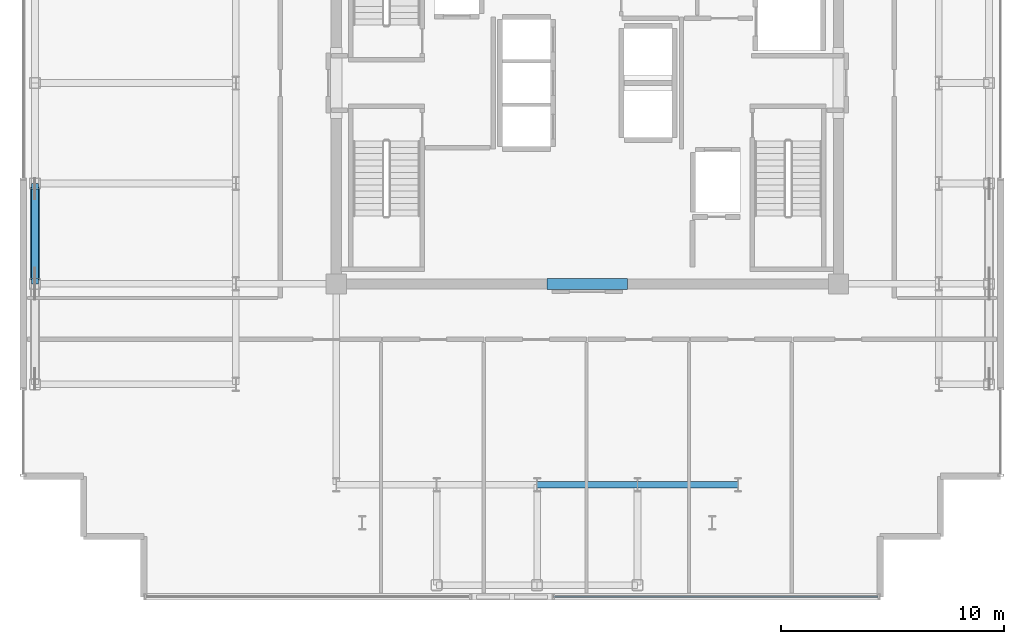
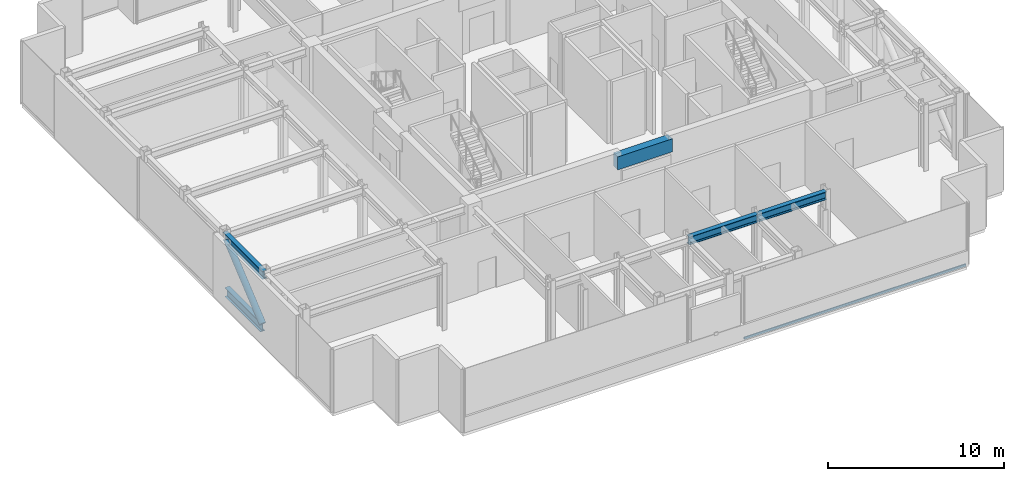
# One storey, part 5 of 18: 4 beams, 3 members, 1 element without a shape of its own.
"""IFC4 building model written with IfcOpenShell, lengths in metres."""

from ifc_helpers import new_model, si_unit, direction, frame, origin, origin_2d, place, context, subcontext, project, spatial, rectangle, hollow_rectangle, hollow_circle, i_section, extrude, source, transform, mapped, material, layer, layer_set, material_profile, profile_set, type_object, element, aggregate, save


model = new_model("IFC4")

# Units and contexts
model_context = context("Model", 3, precision=1e-05, world=origin(), true_north=direction((0.0, 1.0)))
body_context = subcontext(model_context, "Body", "Model", "MODEL_VIEW")
ifc_project = project(units=[si_unit("LENGTHUNIT", "METRE"), si_unit("AREAUNIT", "SQUARE_METRE"), si_unit("VOLUMEUNIT", "CUBIC_METRE"), si_unit("PLANEANGLEUNIT", "RADIAN"), si_unit("MASSUNIT", "GRAM", prefix="KILO")], contexts=[model_context])

# Site, building, storey
site_placement = place(None, origin())
site = spatial("IfcSite", under=ifc_project, at=site_placement, CompositionType="ELEMENT")
building_placement = place(site_placement, origin())
building = spatial("IfcBuilding", under=site, at=building_placement, Name="Nefas-Gora Pilgrimage Tower", CompositionType="ELEMENT")
storey_placement = place(building_placement, frame((0.0, 0.0, 317.800048828125)))
storey = spatial("IfcBuildingStorey", under=building, at=storey_placement, Name="L80", CompositionType="ELEMENT", Elevation=317.800048828125)

# Beams
ifc_material_1 = material(Name="Concrete C50/60", Category="concrete")
ifc_material_profile_1 = material_profile(ifc_material_1, rectangle(XDim=0.5, YDim=0.89990234375, at=origin_2d()), Name="RC 500x900")
ifc_profile_set_1 = profile_set([ifc_material_profile_1], Name="Concrete C50/60")
beam_type_1 = type_object("IfcBeamType", Name="BM-LIN-RC900", PredefinedType="LINTEL", material=ifc_profile_set_1)
shared_shape_1 = source(origin(), body_context, "Body", "SweptSolid", [
    extrude(rectangle(XDim=0.5, YDim=0.89990234375, at=origin_2d()), origin(), (0.0, 0.0, 1.0), 3.60009765625),
])
beam_1_placement = place(storey_placement, frame((-1.800048828125, -9.0, 3.89990234375), z_axis=(1.0, 0.0, 0.0), x_axis=(0.0, 1.0, 0.0)))
element("IfcBeam", 1, at=beam_1_placement, inside=storey, type_object=beam_type_1, Name="L80 Core Coupling Lintel Beam S", PredefinedType="LINTEL", context=body_context, shape_type="MappedRepresentation", body=[
    mapped(shared_shape_1, transform((0.0, 0.0, 0.0), x_axis=(1.0, 0.0, 0.0), y_axis=(0.0, 1.0, 0.0), z_axis=(0.0, 0.0, 1.0), scale=1.0)),
])
ifc_material_2 = material(Name="Steel S355", Category="steel")
ifc_material_profile_2 = material_profile(ifc_material_2, i_section(OverallWidth=0.300048828125, OverallDepth=0.550048828125, WebThickness=0.014892578125, FlangeThickness=0.029052734375, FilletRadius=0.027099609375, at=origin_2d()), Name="HEB 550")
ifc_profile_set_2 = profile_set([ifc_material_profile_2], Name="Steel S355")
beam_type_2 = type_object("IfcBeamType", Name="BM-SPN-HEB400", PredefinedType="SPANDREL", material=ifc_profile_set_2)
shared_shape_2 = source(origin(), body_context, "Body", "SweptSolid", [
    extrude(i_section(OverallWidth=0.300048828125, OverallDepth=0.550048828125, WebThickness=0.014892578125, FlangeThickness=0.029052734375, FilletRadius=0.027099609375, at=origin_2d()), origin(), (0.0, 0.0, 1.0), 4.5),
])
beam_2_placement = place(storey_placement, frame((-24.75, -9.0, 4.074951171875), z_axis=(0.0, 1.0, 0.0), x_axis=(-1.0, 0.0, 0.0)))
element("IfcBeam", 2, at=beam_2_placement, inside=storey, type_object=beam_type_2, Name="L80 SP-04 beam", PredefinedType="SPANDREL", context=body_context, shape_type="MappedRepresentation", body=[
    mapped(shared_shape_2, transform((0.0, 0.0, 0.0), x_axis=(1.0, 0.0, 0.0), y_axis=(0.0, 1.0, 0.0), z_axis=(0.0, 0.0, 1.0), scale=1.0)),
])
ifc_material_profile_3 = material_profile(ifc_material_2, i_section(OverallWidth=0.300048828125, OverallDepth=0.550048828125, WebThickness=0.014892578125, FlangeThickness=0.029052734375, FilletRadius=0.027099609375, at=origin_2d()), Name="HEB 550")
ifc_profile_set_3 = profile_set([ifc_material_profile_3], Name="Steel S355")
beam_type_3 = type_object("IfcBeamType", Name="BM-GIR-HEB550", PredefinedType="BEAM", material=ifc_profile_set_3)
shared_shape_3 = source(origin(), body_context, "Body", "SweptSolid", [
    extrude(i_section(OverallWidth=0.300048828125, OverallDepth=0.550048828125, WebThickness=0.014892578125, FlangeThickness=0.029052734375, FilletRadius=0.027099609375, at=origin_2d()), origin(), (0.0, 0.0, 1.0), 4.5),
])
for number, where, z_axis, x_axis, name in (
    (3, (-2.25, -18.0, 4.074951171875), (1.0, 0.0, 0.0), (0.0, 1.0, 0.0), "L80 G-05 beam"),
    (4, (2.25, -18.0, 4.074951171875), (1.0, 0.0, 0.0), (0.0, 1.0, 0.0), "L80 G-05 beam"),
):
    element("IfcBeam", number, at=place(storey_placement, frame(where, z_axis=z_axis, x_axis=x_axis)), inside=storey, type_object=beam_type_3, Name=name, PredefinedType="BEAM", context=body_context, shape_type="MappedRepresentation", body=[
        mapped(shared_shape_3, transform((0.0, 0.0, 0.0), x_axis=(1.0, 0.0, 0.0), y_axis=(0.0, 1.0, 0.0), z_axis=(0.0, 0.0, 1.0), scale=1.0)),
    ])

# Members
ifc_material_3 = material(Name="Steel S460", Category="steel")
ifc_material_profile_4 = material_profile(ifc_material_3, hollow_circle(Radius=0.203125, WallThickness=0.02490234375, at=origin_2d()), Name="CHS 406.4x25")
ifc_profile_set_4 = profile_set([ifc_material_profile_4], Name="Steel S460")
member_type_1 = type_object("IfcMemberType", Name="MEM-BELT-406", PredefinedType="BRACE", material=ifc_profile_set_4)
shared_shape_4 = source(origin(), body_context, "Body", "SweptSolid", [
    extrude(hollow_circle(Radius=0.203125, WallThickness=0.02490234375, at=origin_2d()), origin(), (0.0, 0.0, 1.0), 5.238037109375),
])
member_1_placement = place(storey_placement, frame((-24.75, -8.761962890625, 0.54833984375), z_axis=(0.0, 0.768221279597, 0.640184399664), x_axis=(-1.0, 0.0, 0.0)))
element("IfcMember", 5, at=member_1_placement, inside=storey, type_object=member_type_1, Name="L80 Perimeter Belt-Truss Diagonal 2", PredefinedType="BRACE", context=body_context, shape_type="MappedRepresentation", body=[
    mapped(shared_shape_4, transform((0.0, 0.0, 0.0), x_axis=(1.0, 0.0, 0.0), y_axis=(0.0, 1.0, 0.0), z_axis=(0.0, 0.0, 1.0), scale=1.0)),
])
ifc_material_profile_5 = material_profile(ifc_material_3, i_section(OverallWidth=0.300048828125, OverallDepth=0.64990234375, WebThickness=0.01611328125, FlangeThickness=0.031005859375, FilletRadius=0.027099609375, at=origin_2d()), Name="HEB 650")
ifc_profile_set_5 = profile_set([ifc_material_profile_5], Name="Steel S460")
member_type_2 = type_object("IfcMemberType", Name="MEM-BELT-CHORD", PredefinedType="CHORD", material=ifc_profile_set_5)
shared_shape_5 = source(origin(), body_context, "Body", "SweptSolid", [
    extrude(i_section(OverallWidth=0.300048828125, OverallDepth=0.64990234375, WebThickness=0.01611328125, FlangeThickness=0.031005859375, FilletRadius=0.027099609375, at=origin_2d()), origin(), (0.0, 0.0, 1.0), 4.02392578125),
])
member_2_placement = place(storey_placement, frame((-24.75, -8.761962890625, 0.349853515625), z_axis=(0.0, 1.0, 0.0), x_axis=(-1.0, 0.0, 0.0)))
element("IfcMember", 6, at=member_2_placement, inside=storey, type_object=member_type_2, Name="L80 Perimeter Belt-Truss Bottom Chord 2", PredefinedType="CHORD", context=body_context, shape_type="MappedRepresentation", body=[
    mapped(shared_shape_5, transform((0.0, 0.0, 0.0), x_axis=(1.0, 0.0, 0.0), y_axis=(0.0, 1.0, 0.0), z_axis=(0.0, 0.0, 1.0), scale=1.0)),
])

# Curtain wall, member
ifc_material_4 = material(Name="Dark ceramic-fritted solar-control aluminium-glass curtain wall", Category="aluminium")
ifc_layer = layer(ifc_material_4, 0.219970703125)
ifc_layer_set = layer_set([ifc_layer], Name="Dark ceramic-fritted solar-control aluminium-glass curtain wall")
curtain_wall_type = type_object("IfcCurtainWallType", Name="CW-SYS-4", PredefinedType="NOTDEFINED", material=ifc_layer_set)
curtain_wall_placement = place(storey_placement, origin())
curtain_wall = element("IfcCurtainWall", 7, at=curtain_wall_placement, inside=storey, type_object=curtain_wall_type, Name="L80 Unitised Curtain Wall CW4", PredefinedType="NOTDEFINED")
ifc_material_5 = material(Name="Anodised architectural aluminium", Category="aluminium")
ifc_material_profile_6 = material_profile(ifc_material_5, hollow_rectangle(XDim=0.080078125, YDim=0.159912109375, WallThickness=0.00439453125, InnerFilletRadius=0.00439453125, OuterFilletRadius=0.009033203125, at=origin_2d()), Name="ALU TRANSOM 80x160")
ifc_profile_set_6 = profile_set([ifc_material_profile_6], Name="Anodised architectural aluminium")
member_type_3 = type_object("IfcMemberType", Name="CWM-TRN-4", PredefinedType="USERDEFINED", material=ifc_profile_set_6)
shared_shape_6 = source(origin(), body_context, "Body", "SweptSolid", [
    extrude(hollow_rectangle(XDim=0.080078125, YDim=0.159912109375, WallThickness=0.00439453125, InnerFilletRadius=0.00439453125, OuterFilletRadius=0.009033203125, at=origin_2d()), origin(), (0.0, 0.0, 1.0), 14.51513671875),
])
member_3_placement = place(storey_placement, frame((-1.485107421875, -23.02001953125, 0.050048828125), z_axis=(1.0, 0.0, 0.0), x_axis=(0.0, 1.0, 0.0)))
member_3 = element("IfcMember", 8, at=member_3_placement, type_object=member_type_3, Name="CW4 Spandrel Transom", ObjectType="TRANSOM", PredefinedType="USERDEFINED", context=body_context, shape_type="MappedRepresentation", body=[
    mapped(shared_shape_6, transform((0.0, 0.0, 0.0), x_axis=(1.0, 0.0, 0.0), y_axis=(0.0, 1.0, 0.0), z_axis=(0.0, 0.0, 1.0), scale=1.0)),
])
aggregate(curtain_wall, [member_3])

save(model, "model.ifc")
